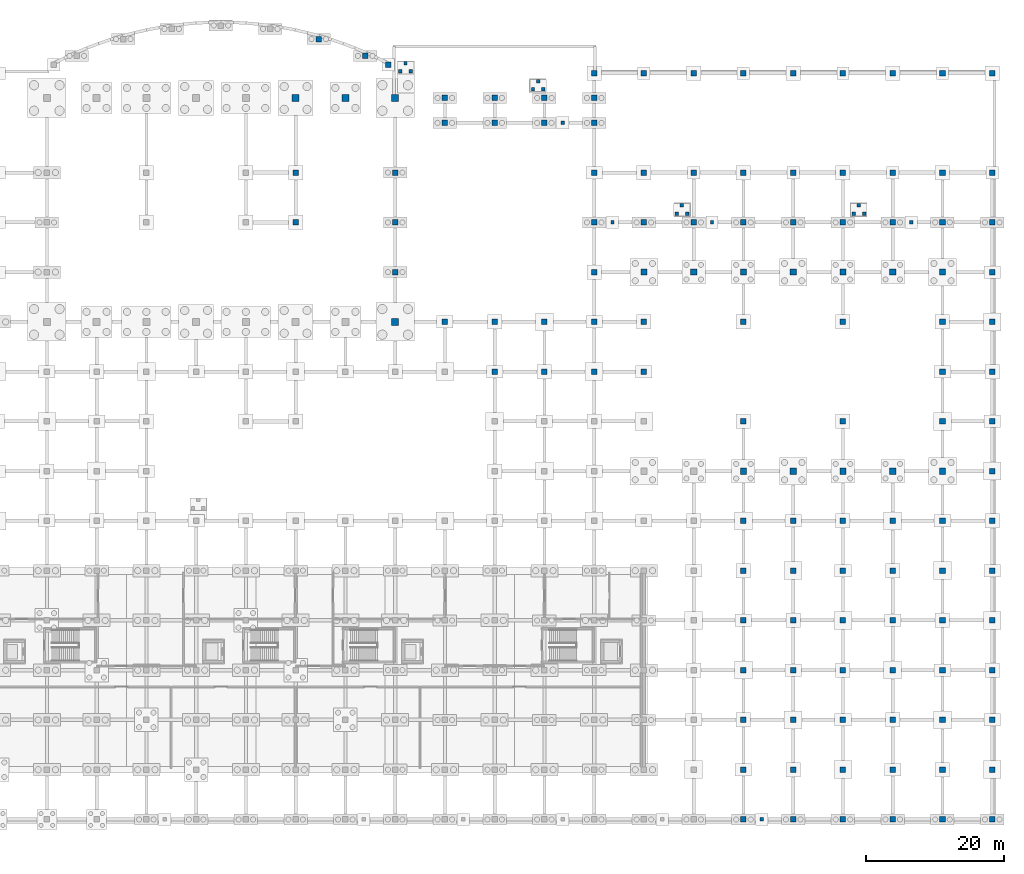
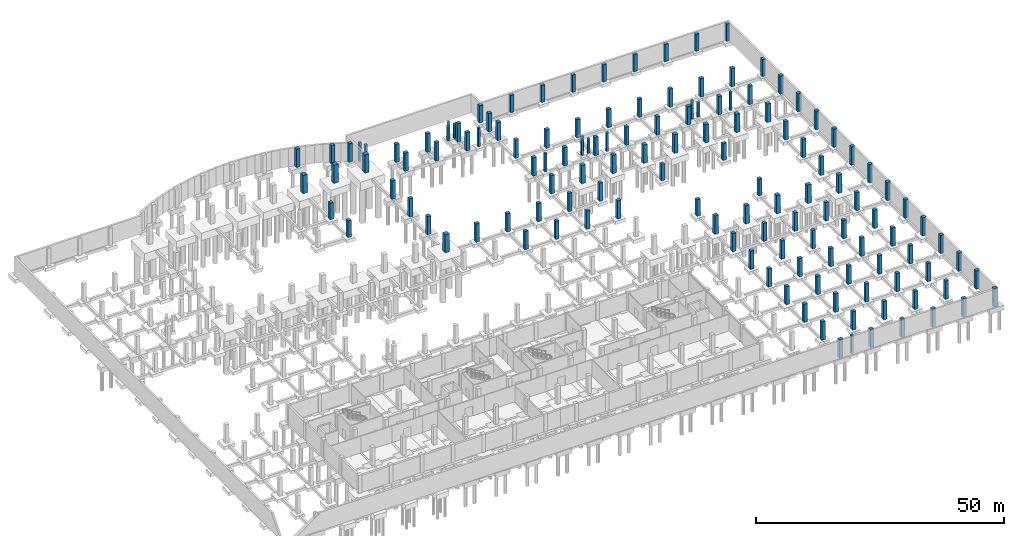
# One storey, part 16 of 22: 140 columns.
"""IFC4 building model written with IfcOpenShell, lengths in metres."""

from ifc_helpers import new_model, si_unit, direction, frame, origin, origin_2d, place, context, subcontext, project, spatial, rectangle, extrude, material, material_profile, profile_set, type_object, element, save


model = new_model("IFC4")

# Units and contexts
model_context = context("Model", 3, precision=1e-05, world=origin(), true_north=direction((0.0, 1.0)))
body_context = subcontext(model_context, "Body", "Model", "MODEL_VIEW")
ifc_project = project(units=[si_unit("LENGTHUNIT", "METRE"), si_unit("AREAUNIT", "SQUARE_METRE"), si_unit("VOLUMEUNIT", "CUBIC_METRE"), si_unit("PLANEANGLEUNIT", "RADIAN"), si_unit("MASSUNIT", "GRAM", prefix="KILO")], contexts=[model_context])

# Site, building, storey
site_placement = place(None, origin())
site = spatial("IfcSite", under=ifc_project, at=site_placement, CompositionType="ELEMENT")
building_placement = place(site_placement, origin())
building = spatial("IfcBuilding", under=site, at=building_placement, Name="Sardonyx Promenade Sports Hall", CompositionType="ELEMENT")
storey_placement = place(building_placement, frame((0.0, 0.0, -4.5)))
storey = spatial("IfcBuildingStorey", under=building, at=storey_placement, Name="B1", CompositionType="ELEMENT", Elevation=-4.5)

# Columns
ifc_material_1 = material(Name="Concrete C50/60", Category="concrete")
ifc_material_profile_1 = material_profile(ifc_material_1, rectangle(XDim=1.0, YDim=1.0, at=origin_2d()))
ifc_profile_set_1 = profile_set([ifc_material_profile_1], Name="Concrete C50/60")
column_type_1 = type_object("IfcColumnType", Name="Col_Int_RC1000", PredefinedType="COLUMN", material=ifc_profile_set_1)
for number, where, z_axis, x_axis, name in (
    (1, (64.800048828125, 104.39990234375, 0.0), (0.0, 0.0, 1.0), (1.0, 0.0, 0.0), "Column CI05 B1 (64.8,104.4)"),
    (2, (72.0, 104.39990234375, 0.0), (0.0, 0.0, 1.0), (1.0, 0.0, 0.0), "Column CI05 B1 (72.0,104.4)"),
    (3, (79.199951171875, 72.0, 0.0), (0.0, 0.0, 1.0), (1.0, 0.0, 0.0), "Column CI05 B1 (79.2,72.0)"),
    (4, (79.199951171875, 104.39990234375, 0.0), (0.0, 0.0, 1.0), (1.0, 0.0, 0.0), "Column CI05 B1 (79.2,104.4)"),
):
    element("IfcColumn", number, at=place(storey_placement, frame(where, z_axis=z_axis, x_axis=x_axis)), inside=storey, type_object=column_type_1, Name=name, PredefinedType="COLUMN", context=body_context, shape_type="SweptSolid", body=[
        extrude(rectangle(XDim=1.0, YDim=1.0, at=origin_2d()), origin(), (0.0, 0.0, 1.0), 4.5),
    ])
ifc_material_2 = material(Name="Concrete C40/50", Category="concrete")
ifc_material_profile_2 = material_profile(ifc_material_2, rectangle(XDim=0.5, YDim=0.5, at=origin_2d()))
ifc_profile_set_2 = profile_set([ifc_material_profile_2], Name="Concrete C40/50")
column_type_2 = type_object("IfcColumnType", Name="Col_Int_RC500", PredefinedType="COLUMN", material=ifc_profile_set_2)
for number, where, z_axis, x_axis, name in (
    (5, (132.25, 0.0, 0.0), (0.0, 0.0, 1.0), (1.0, 0.0, 0.0), "Pilaster pier B1 #7"),
    (6, (103.449951171875, 100.800048828125, 0.0), (0.0, 0.0, 1.0), (1.0, 0.0, 0.0), "Pilaster pier B1 #8"),
    (7, (110.64990234375, 86.39990234375, 0.0), (0.0, 0.0, 1.0), (1.0, 0.0, 0.0), "Pilaster pier B1 #9"),
    (8, (125.050048828125, 86.39990234375, 0.0), (0.0, 0.0, 1.0), (1.0, 0.0, 0.0), "Pilaster pier B1 #10"),
    (9, (153.85009765625, 86.39990234375, 0.0), (0.0, 0.0, 1.0), (1.0, 0.0, 0.0), "Pilaster pier B1 #11"),
):
    element("IfcColumn", number, at=place(storey_placement, frame(where, z_axis=z_axis, x_axis=x_axis)), inside=storey, type_object=column_type_2, Name=name, PredefinedType="COLUMN", context=body_context, shape_type="SweptSolid", body=[
        extrude(rectangle(XDim=0.5, YDim=0.5, at=origin_2d()), origin(), (0.0, 0.0, 1.0), 4.5),
    ])
for number, where, z_axis, x_axis, name in (
    (10, (79.949951171875, 108.25, 0.0), (0.0, 0.0, 1.0), (1.0, 0.0, 0.0), "Ramp landing substructure pier #1-1"),
    (11, (81.449951171875, 108.25, 0.0), (0.0, 0.0, 1.0), (1.0, 0.0, 0.0), "Ramp landing substructure pier #1-2"),
    (12, (80.699951171875, 109.449951171875, 0.0), (0.0, 0.0, 1.0), (1.0, 0.0, 0.0), "Ramp landing substructure pier #1-3"),
    (13, (99.14990234375, 105.64990234375, 0.0), (0.0, 0.0, 1.0), (1.0, 0.0, 0.0), "Ramp landing substructure pier #2-1"),
    (14, (100.64990234375, 105.64990234375, 0.0), (0.0, 0.0, 1.0), (1.0, 0.0, 0.0), "Ramp landing substructure pier #2-2"),
    (15, (99.89990234375, 106.85009765625, 0.0), (0.0, 0.0, 1.0), (1.0, 0.0, 0.0), "Ramp landing substructure pier #2-3"),
    (16, (119.949951171875, 87.64990234375, 0.0), (0.0, 0.0, 1.0), (1.0, 0.0, 0.0), "Ramp landing substructure pier #4-1"),
    (17, (121.449951171875, 87.64990234375, 0.0), (0.0, 0.0, 1.0), (1.0, 0.0, 0.0), "Ramp landing substructure pier #4-2"),
    (18, (120.699951171875, 88.85009765625, 0.0), (0.0, 0.0, 1.0), (1.0, 0.0, 0.0), "Ramp landing substructure pier #4-3"),
    (19, (145.550048828125, 87.64990234375, 0.0), (0.0, 0.0, 1.0), (1.0, 0.0, 0.0), "Ramp landing substructure pier #5-1"),
    (20, (147.050048828125, 87.64990234375, 0.0), (0.0, 0.0, 1.0), (1.0, 0.0, 0.0), "Ramp landing substructure pier #5-2"),
    (21, (146.300048828125, 88.85009765625, 0.0), (0.0, 0.0, 1.0), (1.0, 0.0, 0.0), "Ramp landing substructure pier #5-3"),
):
    element("IfcColumn", number, at=place(storey_placement, frame(where, z_axis=z_axis, x_axis=x_axis)), inside=storey, type_object=column_type_2, Name=name, PredefinedType="COLUMN", context=body_context, shape_type="SweptSolid", body=[
        extrude(rectangle(XDim=0.5, YDim=0.5, at=origin_2d()), origin(), (0.0, 0.0, 1.0), 3.639892578125),
    ])
ifc_material_3 = material(Name="Concrete C50/60", Category="concrete")
ifc_material_profile_3 = material_profile(ifc_material_3, rectangle(XDim=0.800048828125, YDim=0.800048828125, at=origin_2d()))
ifc_profile_set_3 = profile_set([ifc_material_profile_3], Name="Concrete C50/60")
column_type_3 = type_object("IfcColumnType", Name="Col_Int_RC800", PredefinedType="COLUMN", material=ifc_profile_set_3)
for number, where, z_axis, x_axis, name in (
    (22, (64.800048828125, 86.39990234375, 0.0), (0.0, 0.0, 1.0), (1.0, 0.0, 0.0), "Column CI01 B1 (64.8,86.4)"),
    (23, (64.800048828125, 93.60009765625, 0.0), (0.0, 0.0, 1.0), (1.0, 0.0, 0.0), "Column CI01 B1 (64.8,93.6)"),
):
    element("IfcColumn", number, at=place(storey_placement, frame(where, z_axis=z_axis, x_axis=x_axis)), inside=storey, type_object=column_type_3, Name=name, PredefinedType="COLUMN", context=body_context, shape_type="SweptSolid", body=[
        extrude(rectangle(XDim=0.800048828125, YDim=0.800048828125, at=origin_2d()), origin(), (0.0, 0.0, 1.0), 4.090087890625),
    ])
for number, where, z_axis, x_axis, name in (
    (24, (68.1298828125, 112.910888671875, 0.0), (0.0, 0.0, 1.0), (1.0, 0.0, 0.0), "Column CI01 B1 (68.1,112.9)"),
    (25, (74.85595703125, 110.48486328125, 0.0), (0.0, 0.0, 1.0), (1.0, 0.0, 0.0), "Column CI01 B1 (74.9,110.5)"),
    (26, (78.226318359375, 109.2119140625, 0.0), (0.0, 0.0, 1.0), (1.0, 0.0, 0.0), "Column CI01 B1 (78.2,109.2)"),
    (27, (79.199951171875, 79.199951171875, 0.0), (0.0, 0.0, 1.0), (1.0, 0.0, 0.0), "Column CI01 B1 (79.2,79.2)"),
    (28, (79.199951171875, 86.39990234375, 0.0), (0.0, 0.0, 1.0), (1.0, 0.0, 0.0), "Column CI01 B1 (79.2,86.4)"),
    (29, (79.199951171875, 93.60009765625, 0.0), (0.0, 0.0, 1.0), (1.0, 0.0, 0.0), "Column CI01 B1 (79.2,93.6)"),
    (30, (86.39990234375, 72.0, 0.0), (0.0, 0.0, 1.0), (1.0, 0.0, 0.0), "Column CI01 B1 (86.4,72.0)"),
    (31, (86.39990234375, 100.800048828125, 0.0), (0.0, 0.0, 1.0), (1.0, 0.0, 0.0), "Column CI01 B1 (86.4,100.8)"),
    (32, (86.39990234375, 104.39990234375, 0.0), (0.0, 0.0, 1.0), (1.0, 0.0, 0.0), "Column CI01 B1 (86.4,104.4)"),
    (33, (93.60009765625, 64.800048828125, 0.0), (0.0, 0.0, 1.0), (1.0, 0.0, 0.0), "Column CI01 B1 (93.6,64.8)"),
    (34, (93.60009765625, 72.0, 0.0), (0.0, 0.0, 1.0), (1.0, 0.0, 0.0), "Column CI01 B1 (93.6,72.0)"),
    (35, (93.60009765625, 100.800048828125, 0.0), (0.0, 0.0, 1.0), (1.0, 0.0, 0.0), "Column CI01 B1 (93.6,100.8)"),
    (36, (93.60009765625, 104.39990234375, 0.0), (0.0, 0.0, 1.0), (1.0, 0.0, 0.0), "Column CI01 B1 (93.6,104.4)"),
    (37, (100.800048828125, 64.800048828125, 0.0), (0.0, 0.0, 1.0), (1.0, 0.0, 0.0), "Column CI01 B1 (100.8,64.8)"),
    (38, (100.800048828125, 72.0, 0.0), (0.0, 0.0, 1.0), (1.0, 0.0, 0.0), "Column CI01 B1 (100.8,72.0)"),
    (39, (100.800048828125, 100.800048828125, 0.0), (0.0, 0.0, 1.0), (1.0, 0.0, 0.0), "Column CI01 B1 (100.8,100.8)"),
    (40, (100.800048828125, 104.39990234375, 0.0), (0.0, 0.0, 1.0), (1.0, 0.0, 0.0), "Column CI01 B1 (100.8,104.4)"),
    (41, (108.0, 64.800048828125, 0.0), (0.0, 0.0, 1.0), (1.0, 0.0, 0.0), "Column CI01 B1 (108.0,64.8)"),
    (42, (108.0, 72.0, 0.0), (0.0, 0.0, 1.0), (1.0, 0.0, 0.0), "Column CI01 B1 (108.0,72.0)"),
    (43, (108.0, 79.199951171875, 0.0), (0.0, 0.0, 1.0), (1.0, 0.0, 0.0), "Column CI01 B1 (108.0,79.2)"),
    (44, (108.0, 86.39990234375, 0.0), (0.0, 0.0, 1.0), (1.0, 0.0, 0.0), "Column CI01 B1 (108.0,86.4)"),
    (45, (108.0, 93.60009765625, 0.0), (0.0, 0.0, 1.0), (1.0, 0.0, 0.0), "Column CI01 B1 (108.0,93.6)"),
    (46, (108.0, 100.800048828125, 0.0), (0.0, 0.0, 1.0), (1.0, 0.0, 0.0), "Column CI01 B1 (108.0,100.8)"),
    (47, (108.0, 104.39990234375, 0.0), (0.0, 0.0, 1.0), (1.0, 0.0, 0.0), "Column CI01 B1 (108.0,104.4)"),
):
    element("IfcColumn", number, at=place(storey_placement, frame(where, z_axis=z_axis, x_axis=x_axis)), inside=storey, type_object=column_type_3, Name=name, PredefinedType="COLUMN", context=body_context, shape_type="SweptSolid", body=[
        extrude(rectangle(XDim=0.800048828125, YDim=0.800048828125, at=origin_2d()), origin(), (0.0, 0.0, 1.0), 4.5),
    ])
column_1_placement = place(storey_placement, frame((108.0, 108.0, 0.0), z_axis=(0.0, 0.0, 1.0), x_axis=(1.0, 0.0, 0.0)))
element("IfcColumn", 48, at=column_1_placement, inside=storey, type_object=column_type_3, Name="Column CI01 B1 (108.0,108.0)", PredefinedType="COLUMN", context=body_context, shape_type="SweptSolid", body=[
    extrude(rectangle(XDim=0.800048828125, YDim=0.800048828125, at=origin_2d()), origin(), (0.0, 0.0, 1.0), 4.25),
])
for number, where, z_axis, x_axis, name in (
    (49, (115.199951171875, 64.800048828125, 0.0), (0.0, 0.0, 1.0), (1.0, 0.0, 0.0), "Column CI01 B1 (115.2,64.8)"),
    (50, (115.199951171875, 72.0, 0.0), (0.0, 0.0, 1.0), (1.0, 0.0, 0.0), "Column CI01 B1 (115.2,72.0)"),
    (51, (115.199951171875, 86.39990234375, 0.0), (0.0, 0.0, 1.0), (1.0, 0.0, 0.0), "Column CI01 B1 (115.2,86.4)"),
    (52, (115.199951171875, 93.60009765625, 0.0), (0.0, 0.0, 1.0), (1.0, 0.0, 0.0), "Column CI01 B1 (115.2,93.6)"),
):
    element("IfcColumn", number, at=place(storey_placement, frame(where, z_axis=z_axis, x_axis=x_axis)), inside=storey, type_object=column_type_3, Name=name, PredefinedType="COLUMN", context=body_context, shape_type="SweptSolid", body=[
        extrude(rectangle(XDim=0.800048828125, YDim=0.800048828125, at=origin_2d()), origin(), (0.0, 0.0, 1.0), 4.5),
    ])
column_2_placement = place(storey_placement, frame((115.199951171875, 108.0, 0.0), z_axis=(0.0, 0.0, 1.0), x_axis=(1.0, 0.0, 0.0)))
element("IfcColumn", 53, at=column_2_placement, inside=storey, type_object=column_type_3, Name="Column CI01 B1 (115.2,108.0)", PredefinedType="COLUMN", context=body_context, shape_type="SweptSolid", body=[
    extrude(rectangle(XDim=0.800048828125, YDim=0.800048828125, at=origin_2d()), origin(), (0.0, 0.0, 1.0), 4.25),
])
for number, where, z_axis, x_axis, name in (
    (54, (122.39990234375, 86.39990234375, 0.0), (0.0, 0.0, 1.0), (1.0, 0.0, 0.0), "Column CI01 B1 (122.4,86.4)"),
    (55, (122.39990234375, 93.60009765625, 0.0), (0.0, 0.0, 1.0), (1.0, 0.0, 0.0), "Column CI01 B1 (122.4,93.6)"),
):
    element("IfcColumn", number, at=place(storey_placement, frame(where, z_axis=z_axis, x_axis=x_axis)), inside=storey, type_object=column_type_3, Name=name, PredefinedType="COLUMN", context=body_context, shape_type="SweptSolid", body=[
        extrude(rectangle(XDim=0.800048828125, YDim=0.800048828125, at=origin_2d()), origin(), (0.0, 0.0, 1.0), 4.5),
    ])
column_3_placement = place(storey_placement, frame((122.39990234375, 108.0, 0.0), z_axis=(0.0, 0.0, 1.0), x_axis=(1.0, 0.0, 0.0)))
element("IfcColumn", 56, at=column_3_placement, inside=storey, type_object=column_type_3, Name="Column CI01 B1 (122.4,108.0)", PredefinedType="COLUMN", context=body_context, shape_type="SweptSolid", body=[
    extrude(rectangle(XDim=0.800048828125, YDim=0.800048828125, at=origin_2d()), origin(), (0.0, 0.0, 1.0), 4.25),
])
for number, where, z_axis, x_axis, name in (
    (57, (129.60009765625, 0.0, 0.0), (0.0, 0.0, 1.0), (1.0, 0.0, 0.0), "Column CI01 B1 (129.6,0.0)"),
    (58, (129.60009765625, 7.199951171875, 0.0), (0.0, 0.0, 1.0), (1.0, 0.0, 0.0), "Column CI01 B1 (129.6,7.2)"),
    (59, (129.60009765625, 14.39990234375, 0.0), (0.0, 0.0, 1.0), (1.0, 0.0, 0.0), "Column CI01 B1 (129.6,14.4)"),
    (60, (129.60009765625, 21.60009765625, 0.0), (0.0, 0.0, 1.0), (1.0, 0.0, 0.0), "Column CI01 B1 (129.6,21.6)"),
    (61, (129.60009765625, 28.800048828125, 0.0), (0.0, 0.0, 1.0), (1.0, 0.0, 0.0), "Column CI01 B1 (129.6,28.8)"),
    (62, (129.60009765625, 36.0, 0.0), (0.0, 0.0, 1.0), (1.0, 0.0, 0.0), "Column CI01 B1 (129.6,36.0)"),
    (63, (129.60009765625, 43.199951171875, 0.0), (0.0, 0.0, 1.0), (1.0, 0.0, 0.0), "Column CI01 B1 (129.6,43.2)"),
):
    element("IfcColumn", number, at=place(storey_placement, frame(where, z_axis=z_axis, x_axis=x_axis)), inside=storey, type_object=column_type_3, Name=name, PredefinedType="COLUMN", context=body_context, shape_type="SweptSolid", body=[
        extrude(rectangle(XDim=0.800048828125, YDim=0.800048828125, at=origin_2d()), origin(), (0.0, 0.0, 1.0), 4.5),
    ])
for number, where, z_axis, x_axis, name in (
    (64, (129.60009765625, 57.60009765625, 0.0), (0.0, 0.0, 1.0), (1.0, 0.0, 0.0), "Column CI01 B1 (129.6,57.6)"),
    (65, (129.60009765625, 72.0, 0.0), (0.0, 0.0, 1.0), (1.0, 0.0, 0.0), "Column CI01 B1 (129.6,72.0)"),
):
    element("IfcColumn", number, at=place(storey_placement, frame(where, z_axis=z_axis, x_axis=x_axis)), inside=storey, type_object=column_type_3, Name=name, PredefinedType="COLUMN", context=body_context, shape_type="SweptSolid", body=[
        extrude(rectangle(XDim=0.800048828125, YDim=0.800048828125, at=origin_2d()), origin(), (0.0, 0.0, 1.0), 4.090087890625),
    ])
for number, where, z_axis, x_axis, name in (
    (66, (129.60009765625, 86.39990234375, 0.0), (0.0, 0.0, 1.0), (1.0, 0.0, 0.0), "Column CI01 B1 (129.6,86.4)"),
    (67, (129.60009765625, 93.60009765625, 0.0), (0.0, 0.0, 1.0), (1.0, 0.0, 0.0), "Column CI01 B1 (129.6,93.6)"),
):
    element("IfcColumn", number, at=place(storey_placement, frame(where, z_axis=z_axis, x_axis=x_axis)), inside=storey, type_object=column_type_3, Name=name, PredefinedType="COLUMN", context=body_context, shape_type="SweptSolid", body=[
        extrude(rectangle(XDim=0.800048828125, YDim=0.800048828125, at=origin_2d()), origin(), (0.0, 0.0, 1.0), 4.5),
    ])
column_4_placement = place(storey_placement, frame((129.60009765625, 108.0, 0.0), z_axis=(0.0, 0.0, 1.0), x_axis=(1.0, 0.0, 0.0)))
element("IfcColumn", 68, at=column_4_placement, inside=storey, type_object=column_type_3, Name="Column CI01 B1 (129.6,108.0)", PredefinedType="COLUMN", context=body_context, shape_type="SweptSolid", body=[
    extrude(rectangle(XDim=0.800048828125, YDim=0.800048828125, at=origin_2d()), origin(), (0.0, 0.0, 1.0), 4.25),
])
for number, where, z_axis, x_axis, name in (
    (69, (136.800048828125, 0.0, 0.0), (0.0, 0.0, 1.0), (1.0, 0.0, 0.0), "Column CI01 B1 (136.8,0.0)"),
    (70, (136.800048828125, 7.199951171875, 0.0), (0.0, 0.0, 1.0), (1.0, 0.0, 0.0), "Column CI01 B1 (136.8,7.2)"),
    (71, (136.800048828125, 14.39990234375, 0.0), (0.0, 0.0, 1.0), (1.0, 0.0, 0.0), "Column CI01 B1 (136.8,14.4)"),
    (72, (136.800048828125, 21.60009765625, 0.0), (0.0, 0.0, 1.0), (1.0, 0.0, 0.0), "Column CI01 B1 (136.8,21.6)"),
    (73, (136.800048828125, 28.800048828125, 0.0), (0.0, 0.0, 1.0), (1.0, 0.0, 0.0), "Column CI01 B1 (136.8,28.8)"),
    (74, (136.800048828125, 36.0, 0.0), (0.0, 0.0, 1.0), (1.0, 0.0, 0.0), "Column CI01 B1 (136.8,36.0)"),
    (75, (136.800048828125, 43.199951171875, 0.0), (0.0, 0.0, 1.0), (1.0, 0.0, 0.0), "Column CI01 B1 (136.8,43.2)"),
    (76, (136.800048828125, 86.39990234375, 0.0), (0.0, 0.0, 1.0), (1.0, 0.0, 0.0), "Column CI01 B1 (136.8,86.4)"),
    (77, (136.800048828125, 93.60009765625, 0.0), (0.0, 0.0, 1.0), (1.0, 0.0, 0.0), "Column CI01 B1 (136.8,93.6)"),
):
    element("IfcColumn", number, at=place(storey_placement, frame(where, z_axis=z_axis, x_axis=x_axis)), inside=storey, type_object=column_type_3, Name=name, PredefinedType="COLUMN", context=body_context, shape_type="SweptSolid", body=[
        extrude(rectangle(XDim=0.800048828125, YDim=0.800048828125, at=origin_2d()), origin(), (0.0, 0.0, 1.0), 4.5),
    ])
column_5_placement = place(storey_placement, frame((136.800048828125, 108.0, 0.0), z_axis=(0.0, 0.0, 1.0), x_axis=(1.0, 0.0, 0.0)))
element("IfcColumn", 78, at=column_5_placement, inside=storey, type_object=column_type_3, Name="Column CI01 B1 (136.8,108.0)", PredefinedType="COLUMN", context=body_context, shape_type="SweptSolid", body=[
    extrude(rectangle(XDim=0.800048828125, YDim=0.800048828125, at=origin_2d()), origin(), (0.0, 0.0, 1.0), 4.25),
])
for number, where, z_axis, x_axis, name in (
    (79, (144.0, 0.0, 0.0), (0.0, 0.0, 1.0), (1.0, 0.0, 0.0), "Column CI01 B1 (144.0,0.0)"),
    (80, (144.0, 7.199951171875, 0.0), (0.0, 0.0, 1.0), (1.0, 0.0, 0.0), "Column CI01 B1 (144.0,7.2)"),
    (81, (144.0, 14.39990234375, 0.0), (0.0, 0.0, 1.0), (1.0, 0.0, 0.0), "Column CI01 B1 (144.0,14.4)"),
    (82, (144.0, 21.60009765625, 0.0), (0.0, 0.0, 1.0), (1.0, 0.0, 0.0), "Column CI01 B1 (144.0,21.6)"),
    (83, (144.0, 28.800048828125, 0.0), (0.0, 0.0, 1.0), (1.0, 0.0, 0.0), "Column CI01 B1 (144.0,28.8)"),
    (84, (144.0, 36.0, 0.0), (0.0, 0.0, 1.0), (1.0, 0.0, 0.0), "Column CI01 B1 (144.0,36.0)"),
    (85, (144.0, 43.199951171875, 0.0), (0.0, 0.0, 1.0), (1.0, 0.0, 0.0), "Column CI01 B1 (144.0,43.2)"),
):
    element("IfcColumn", number, at=place(storey_placement, frame(where, z_axis=z_axis, x_axis=x_axis)), inside=storey, type_object=column_type_3, Name=name, PredefinedType="COLUMN", context=body_context, shape_type="SweptSolid", body=[
        extrude(rectangle(XDim=0.800048828125, YDim=0.800048828125, at=origin_2d()), origin(), (0.0, 0.0, 1.0), 4.5),
    ])
for number, where, z_axis, x_axis, name in (
    (86, (144.0, 57.60009765625, 0.0), (0.0, 0.0, 1.0), (1.0, 0.0, 0.0), "Column CI01 B1 (144.0,57.6)"),
    (87, (144.0, 72.0, 0.0), (0.0, 0.0, 1.0), (1.0, 0.0, 0.0), "Column CI01 B1 (144.0,72.0)"),
):
    element("IfcColumn", number, at=place(storey_placement, frame(where, z_axis=z_axis, x_axis=x_axis)), inside=storey, type_object=column_type_3, Name=name, PredefinedType="COLUMN", context=body_context, shape_type="SweptSolid", body=[
        extrude(rectangle(XDim=0.800048828125, YDim=0.800048828125, at=origin_2d()), origin(), (0.0, 0.0, 1.0), 4.090087890625),
    ])
for number, where, z_axis, x_axis, name in (
    (88, (144.0, 86.39990234375, 0.0), (0.0, 0.0, 1.0), (1.0, 0.0, 0.0), "Column CI01 B1 (144.0,86.4)"),
    (89, (144.0, 93.60009765625, 0.0), (0.0, 0.0, 1.0), (1.0, 0.0, 0.0), "Column CI01 B1 (144.0,93.6)"),
):
    element("IfcColumn", number, at=place(storey_placement, frame(where, z_axis=z_axis, x_axis=x_axis)), inside=storey, type_object=column_type_3, Name=name, PredefinedType="COLUMN", context=body_context, shape_type="SweptSolid", body=[
        extrude(rectangle(XDim=0.800048828125, YDim=0.800048828125, at=origin_2d()), origin(), (0.0, 0.0, 1.0), 4.5),
    ])
column_6_placement = place(storey_placement, frame((144.0, 108.0, 0.0), z_axis=(0.0, 0.0, 1.0), x_axis=(1.0, 0.0, 0.0)))
element("IfcColumn", 90, at=column_6_placement, inside=storey, type_object=column_type_3, Name="Column CI01 B1 (144.0,108.0)", PredefinedType="COLUMN", context=body_context, shape_type="SweptSolid", body=[
    extrude(rectangle(XDim=0.800048828125, YDim=0.800048828125, at=origin_2d()), origin(), (0.0, 0.0, 1.0), 4.25),
])
for number, where, z_axis, x_axis, name in (
    (91, (151.199951171875, 0.0, 0.0), (0.0, 0.0, 1.0), (1.0, 0.0, 0.0), "Column CI01 B1 (151.2,0.0)"),
    (92, (151.199951171875, 7.199951171875, 0.0), (0.0, 0.0, 1.0), (1.0, 0.0, 0.0), "Column CI01 B1 (151.2,7.2)"),
    (93, (151.199951171875, 14.39990234375, 0.0), (0.0, 0.0, 1.0), (1.0, 0.0, 0.0), "Column CI01 B1 (151.2,14.4)"),
    (94, (151.199951171875, 21.60009765625, 0.0), (0.0, 0.0, 1.0), (1.0, 0.0, 0.0), "Column CI01 B1 (151.2,21.6)"),
    (95, (151.199951171875, 28.800048828125, 0.0), (0.0, 0.0, 1.0), (1.0, 0.0, 0.0), "Column CI01 B1 (151.2,28.8)"),
    (96, (151.199951171875, 36.0, 0.0), (0.0, 0.0, 1.0), (1.0, 0.0, 0.0), "Column CI01 B1 (151.2,36.0)"),
    (97, (151.199951171875, 43.199951171875, 0.0), (0.0, 0.0, 1.0), (1.0, 0.0, 0.0), "Column CI01 B1 (151.2,43.2)"),
    (98, (151.199951171875, 86.39990234375, 0.0), (0.0, 0.0, 1.0), (1.0, 0.0, 0.0), "Column CI01 B1 (151.2,86.4)"),
    (99, (151.199951171875, 93.60009765625, 0.0), (0.0, 0.0, 1.0), (1.0, 0.0, 0.0), "Column CI01 B1 (151.2,93.6)"),
):
    element("IfcColumn", number, at=place(storey_placement, frame(where, z_axis=z_axis, x_axis=x_axis)), inside=storey, type_object=column_type_3, Name=name, PredefinedType="COLUMN", context=body_context, shape_type="SweptSolid", body=[
        extrude(rectangle(XDim=0.800048828125, YDim=0.800048828125, at=origin_2d()), origin(), (0.0, 0.0, 1.0), 4.5),
    ])
column_7_placement = place(storey_placement, frame((151.199951171875, 108.0, 0.0), z_axis=(0.0, 0.0, 1.0), x_axis=(1.0, 0.0, 0.0)))
element("IfcColumn", 100, at=column_7_placement, inside=storey, type_object=column_type_3, Name="Column CI01 B1 (151.2,108.0)", PredefinedType="COLUMN", context=body_context, shape_type="SweptSolid", body=[
    extrude(rectangle(XDim=0.800048828125, YDim=0.800048828125, at=origin_2d()), origin(), (0.0, 0.0, 1.0), 4.25),
])
for number, where, z_axis, x_axis, name in (
    (101, (158.39990234375, 0.0, 0.0), (0.0, 0.0, 1.0), (1.0, 0.0, 0.0), "Column CI01 B1 (158.4,0.0)"),
    (102, (158.39990234375, 7.199951171875, 0.0), (0.0, 0.0, 1.0), (1.0, 0.0, 0.0), "Column CI01 B1 (158.4,7.2)"),
    (103, (158.39990234375, 14.39990234375, 0.0), (0.0, 0.0, 1.0), (1.0, 0.0, 0.0), "Column CI01 B1 (158.4,14.4)"),
    (104, (158.39990234375, 21.60009765625, 0.0), (0.0, 0.0, 1.0), (1.0, 0.0, 0.0), "Column CI01 B1 (158.4,21.6)"),
    (105, (158.39990234375, 28.800048828125, 0.0), (0.0, 0.0, 1.0), (1.0, 0.0, 0.0), "Column CI01 B1 (158.4,28.8)"),
    (106, (158.39990234375, 36.0, 0.0), (0.0, 0.0, 1.0), (1.0, 0.0, 0.0), "Column CI01 B1 (158.4,36.0)"),
    (107, (158.39990234375, 43.199951171875, 0.0), (0.0, 0.0, 1.0), (1.0, 0.0, 0.0), "Column CI01 B1 (158.4,43.2)"),
    (108, (158.39990234375, 57.60009765625, 0.0), (0.0, 0.0, 1.0), (1.0, 0.0, 0.0), "Column CI01 B1 (158.4,57.6)"),
    (109, (158.39990234375, 64.800048828125, 0.0), (0.0, 0.0, 1.0), (1.0, 0.0, 0.0), "Column CI01 B1 (158.4,64.8)"),
    (110, (158.39990234375, 72.0, 0.0), (0.0, 0.0, 1.0), (1.0, 0.0, 0.0), "Column CI01 B1 (158.4,72.0)"),
    (111, (158.39990234375, 86.39990234375, 0.0), (0.0, 0.0, 1.0), (1.0, 0.0, 0.0), "Column CI01 B1 (158.4,86.4)"),
    (112, (158.39990234375, 93.60009765625, 0.0), (0.0, 0.0, 1.0), (1.0, 0.0, 0.0), "Column CI01 B1 (158.4,93.6)"),
):
    element("IfcColumn", number, at=place(storey_placement, frame(where, z_axis=z_axis, x_axis=x_axis)), inside=storey, type_object=column_type_3, Name=name, PredefinedType="COLUMN", context=body_context, shape_type="SweptSolid", body=[
        extrude(rectangle(XDim=0.800048828125, YDim=0.800048828125, at=origin_2d()), origin(), (0.0, 0.0, 1.0), 4.5),
    ])
column_8_placement = place(storey_placement, frame((158.39990234375, 108.0, 0.0), z_axis=(0.0, 0.0, 1.0), x_axis=(1.0, 0.0, 0.0)))
element("IfcColumn", 113, at=column_8_placement, inside=storey, type_object=column_type_3, Name="Column CI01 B1 (158.4,108.0)", PredefinedType="COLUMN", context=body_context, shape_type="SweptSolid", body=[
    extrude(rectangle(XDim=0.800048828125, YDim=0.800048828125, at=origin_2d()), origin(), (0.0, 0.0, 1.0), 4.25),
])
for number, where, z_axis, x_axis, name in (
    (114, (165.60009765625, 0.0, 0.0), (0.0, 0.0, 1.0), (1.0, 0.0, 0.0), "Column CI01 B1 (165.6,0.0)"),
    (115, (165.60009765625, 7.199951171875, 0.0), (0.0, 0.0, 1.0), (1.0, 0.0, 0.0), "Column CI01 B1 (165.6,7.2)"),
    (116, (165.60009765625, 14.39990234375, 0.0), (0.0, 0.0, 1.0), (1.0, 0.0, 0.0), "Column CI01 B1 (165.6,14.4)"),
    (117, (165.60009765625, 21.60009765625, 0.0), (0.0, 0.0, 1.0), (1.0, 0.0, 0.0), "Column CI01 B1 (165.6,21.6)"),
    (118, (165.60009765625, 28.800048828125, 0.0), (0.0, 0.0, 1.0), (1.0, 0.0, 0.0), "Column CI01 B1 (165.6,28.8)"),
    (119, (165.60009765625, 36.0, 0.0), (0.0, 0.0, 1.0), (1.0, 0.0, 0.0), "Column CI01 B1 (165.6,36.0)"),
    (120, (165.60009765625, 43.199951171875, 0.0), (0.0, 0.0, 1.0), (1.0, 0.0, 0.0), "Column CI01 B1 (165.6,43.2)"),
    (121, (165.60009765625, 50.39990234375, 0.0), (0.0, 0.0, 1.0), (1.0, 0.0, 0.0), "Column CI01 B1 (165.6,50.4)"),
    (122, (165.60009765625, 57.60009765625, 0.0), (0.0, 0.0, 1.0), (1.0, 0.0, 0.0), "Column CI01 B1 (165.6,57.6)"),
    (123, (165.60009765625, 64.800048828125, 0.0), (0.0, 0.0, 1.0), (1.0, 0.0, 0.0), "Column CI01 B1 (165.6,64.8)"),
    (124, (165.60009765625, 72.0, 0.0), (0.0, 0.0, 1.0), (1.0, 0.0, 0.0), "Column CI01 B1 (165.6,72.0)"),
    (125, (165.60009765625, 79.199951171875, 0.0), (0.0, 0.0, 1.0), (1.0, 0.0, 0.0), "Column CI01 B1 (165.6,79.2)"),
    (126, (165.60009765625, 86.39990234375, 0.0), (0.0, 0.0, 1.0), (1.0, 0.0, 0.0), "Column CI01 B1 (165.6,86.4)"),
):
    element("IfcColumn", number, at=place(storey_placement, frame(where, z_axis=z_axis, x_axis=x_axis)), inside=storey, type_object=column_type_3, Name=name, PredefinedType="COLUMN", context=body_context, shape_type="SweptSolid", body=[
        extrude(rectangle(XDim=0.800048828125, YDim=0.800048828125, at=origin_2d()), origin(), (0.0, 0.0, 1.0), 4.5),
    ])
for number, where, z_axis, x_axis, name in (
    (127, (165.60009765625, 93.60009765625, 0.0), (0.0, 0.0, 1.0), (1.0, 0.0, 0.0), "Column CI01 B1 (165.6,93.6)"),
    (128, (165.60009765625, 108.0, 0.0), (0.0, 0.0, 1.0), (1.0, 0.0, 0.0), "Column CI01 B1 (165.6,108.0)"),
):
    element("IfcColumn", number, at=place(storey_placement, frame(where, z_axis=z_axis, x_axis=x_axis)), inside=storey, type_object=column_type_3, Name=name, PredefinedType="COLUMN", context=body_context, shape_type="SweptSolid", body=[
        extrude(rectangle(XDim=0.800048828125, YDim=0.800048828125, at=origin_2d()), origin(), (0.0, 0.0, 1.0), 4.25),
    ])
ifc_material_4 = material(Name="Concrete C50/60", Category="concrete")
ifc_material_profile_4 = material_profile(ifc_material_4, rectangle(XDim=0.89990234375, YDim=0.89990234375, at=origin_2d()))
ifc_profile_set_4 = profile_set([ifc_material_profile_4], Name="Concrete C50/60")
column_type_4 = type_object("IfcColumnType", Name="Col_Int_RC900", PredefinedType="COLUMN", material=ifc_profile_set_4)
for number, where, z_axis, x_axis, name in (
    (129, (115.199951171875, 79.199951171875, 0.0), (0.0, 0.0, 1.0), (1.0, 0.0, 0.0), "Column CI04 B1 (115.2,79.2)"),
    (130, (122.39990234375, 79.199951171875, 0.0), (0.0, 0.0, 1.0), (1.0, 0.0, 0.0), "Column CI04 B1 (122.4,79.2)"),
    (131, (129.60009765625, 50.39990234375, 0.0), (0.0, 0.0, 1.0), (1.0, 0.0, 0.0), "Column CI04 B1 (129.6,50.4)"),
    (132, (129.60009765625, 79.199951171875, 0.0), (0.0, 0.0, 1.0), (1.0, 0.0, 0.0), "Column CI04 B1 (129.6,79.2)"),
    (133, (136.800048828125, 50.39990234375, 0.0), (0.0, 0.0, 1.0), (1.0, 0.0, 0.0), "Column CI04 B1 (136.8,50.4)"),
    (134, (136.800048828125, 79.199951171875, 0.0), (0.0, 0.0, 1.0), (1.0, 0.0, 0.0), "Column CI04 B1 (136.8,79.2)"),
    (135, (144.0, 50.39990234375, 0.0), (0.0, 0.0, 1.0), (1.0, 0.0, 0.0), "Column CI04 B1 (144.0,50.4)"),
    (136, (144.0, 79.199951171875, 0.0), (0.0, 0.0, 1.0), (1.0, 0.0, 0.0), "Column CI04 B1 (144.0,79.2)"),
    (137, (151.199951171875, 50.39990234375, 0.0), (0.0, 0.0, 1.0), (1.0, 0.0, 0.0), "Column CI04 B1 (151.2,50.4)"),
    (138, (151.199951171875, 79.199951171875, 0.0), (0.0, 0.0, 1.0), (1.0, 0.0, 0.0), "Column CI04 B1 (151.2,79.2)"),
    (139, (158.39990234375, 50.39990234375, 0.0), (0.0, 0.0, 1.0), (1.0, 0.0, 0.0), "Column CI04 B1 (158.4,50.4)"),
    (140, (158.39990234375, 79.199951171875, 0.0), (0.0, 0.0, 1.0), (1.0, 0.0, 0.0), "Column CI04 B1 (158.4,79.2)"),
):
    element("IfcColumn", number, at=place(storey_placement, frame(where, z_axis=z_axis, x_axis=x_axis)), inside=storey, type_object=column_type_4, Name=name, PredefinedType="COLUMN", context=body_context, shape_type="SweptSolid", body=[
        extrude(rectangle(XDim=0.89990234375, YDim=0.89990234375, at=origin_2d()), origin(), (0.0, 0.0, 1.0), 4.5),
    ])

save(model, "model.ifc")
